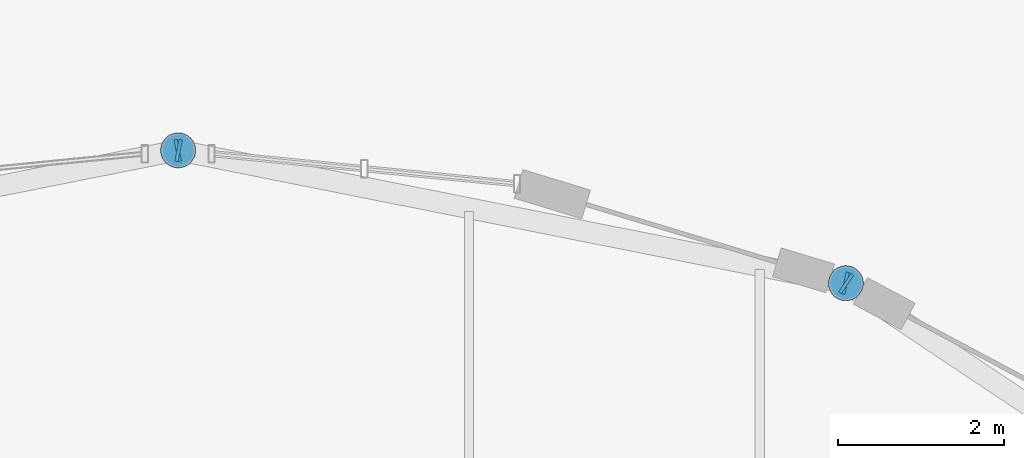
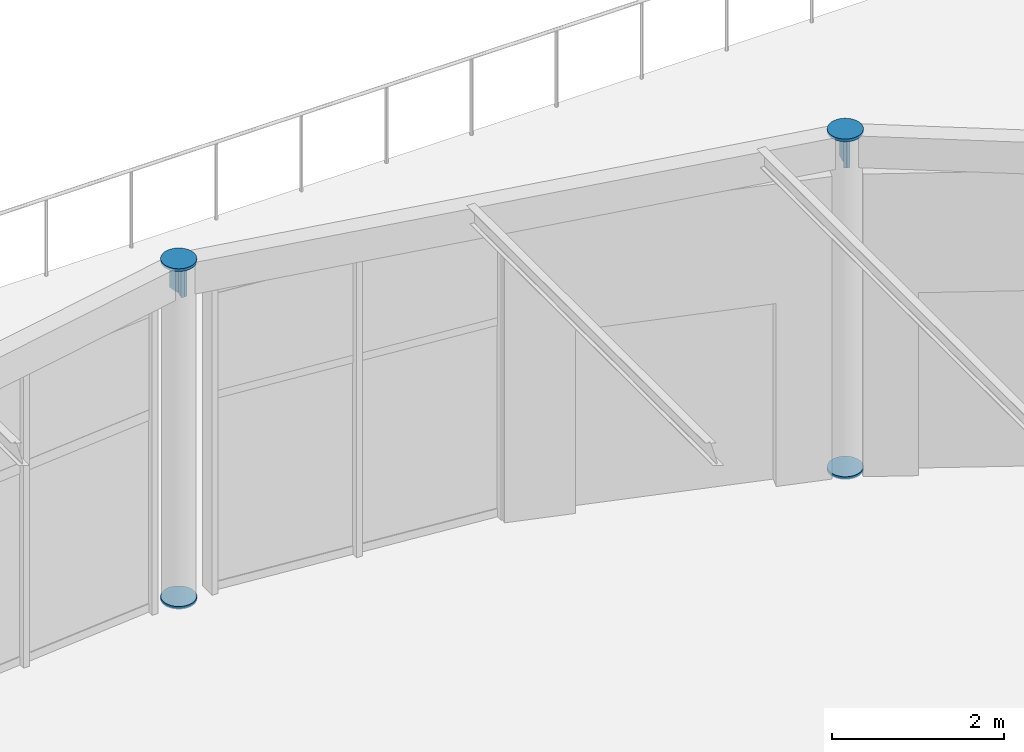
# One storey, part 117 of 143: 8 discrete accessories.
"""IFC4 building model written with IfcOpenShell, lengths in metres."""

import ifcopenshell
import ifcopenshell.guid

model = None  # the IFC model being written
_history = None  # IfcOwnerHistory: only IFC2X3 demands one
_inside = {}  # id of a spatial element -> (the spatial element, [elements in it])
_under = {}  # id of a project, library or spatial element -> (it, [spatial elements below it])
_declared = {}  # id of a project -> (the project, [libraries it declares])
_typed = {}  # id of a type object -> (the type object, [elements of that type])
_made_of = {}  # id of a material, layer set ... -> (it, [elements and type objects made of it])


def new_model(schema):
    """Start an empty IFC model of exactly this schema.

    Asked for "IFC4X3", IfcOpenShell would pick the latest addendum, in which some entities
    have other attributes; the version numbers below select the first issue.
    IFC2X3 requires an IfcOwnerHistory on every rooted entity: one is made here for all.
    """
    global model, _history
    if schema == "IFC4X3":
        model = ifcopenshell.file(schema_version=(4, 3, 0, 0))
    else:
        model = ifcopenshell.file(schema=schema)
    _inside.clear()
    _under.clear()
    _declared.clear()
    _typed.clear()
    _made_of.clear()
    _history = None
    if model.schema == "IFC2X3":
        org = make("IfcOrganization", Name="unknown")
        user = make(
            "IfcPersonAndOrganization",
            ThePerson=make("IfcPerson", FamilyName="unknown"),
            TheOrganization=org,
        )
        app = make(
            "IfcApplication",
            ApplicationDeveloper=org,
            Version="unknown",
            ApplicationFullName="unknown",
            ApplicationIdentifier="unknown",
        )
        _history = make(
            "IfcOwnerHistory",
            OwningUser=user,
            OwningApplication=app,
            ChangeAction="ADDED",
            CreationDate=0,
        )
    return model


def make(cls, **values):
    """One entity of the class cls with the attributes given. An attribute that is None is left unset."""
    return model.create_entity(
        cls, **{name: value for name, value in values.items() if value is not None}
    )


def rooted(cls, **values):
    """An entity with a GlobalId (a new one), such as an element, a storey or a relation."""
    return make(cls, GlobalId=ifcopenshell.guid.new(), OwnerHistory=_history, **values)


def si_unit(unit_type, name, prefix=None):
    """IfcSIUnit, for example si_unit("LENGTHUNIT", "METRE", prefix="MILLI")."""
    return make("IfcSIUnit", UnitType=unit_type, Prefix=prefix, Name=name)


def assignment(units):
    """IfcUnitAssignment: the units of a project."""
    return None if units is None else make("IfcUnitAssignment", Units=units)


def point(xyz):
    """IfcCartesianPoint."""
    return None if xyz is None else make("IfcCartesianPoint", Coordinates=xyz)


def direction(xyz):
    """IfcDirection."""
    return None if xyz is None else make("IfcDirection", DirectionRatios=xyz)


def frame(location, z_axis=None, x_axis=None):
    """IfcAxis2Placement3D, a coordinate frame: its origin and axes. An axis left out is left unset."""
    return make(
        "IfcAxis2Placement3D",
        Location=point(location),
        Axis=direction(z_axis),
        RefDirection=direction(x_axis),
    )


def frame_2d(location, x_axis=None):
    """IfcAxis2Placement2D, a coordinate frame in the plane: its origin and x axis."""
    return make(
        "IfcAxis2Placement2D", Location=point(location), RefDirection=direction(x_axis)
    )


def origin():
    """The frame at (0, 0, 0) with its axes left unset."""
    return frame((0.0, 0.0, 0.0))


def origin_2d():
    """The frame at (0, 0) in the plane with its x axis left unset."""
    return frame_2d((0.0, 0.0))


def place(relative_to, where):
    """IfcLocalPlacement: puts the frame where relative to a parent placement (None: the world)."""
    return make(
        "IfcLocalPlacement", PlacementRelTo=relative_to, RelativePlacement=where
    )


def context(
    kind, dimensions, precision=None, world=None, true_north=None, identifier=None
):
    """IfcGeometricRepresentationContext, for example the 3D "Model" context."""
    return make(
        "IfcGeometricRepresentationContext",
        ContextIdentifier=identifier,
        ContextType=kind,
        CoordinateSpaceDimension=dimensions,
        Precision=precision,
        WorldCoordinateSystem=world,
        TrueNorth=true_north,
    )


def subcontext(parent, identifier, kind, view, scale=None):
    """IfcGeometricRepresentationSubContext, for example "Body" below "Model"."""
    return make(
        "IfcGeometricRepresentationSubContext",
        ContextIdentifier=identifier,
        ContextType=kind,
        ParentContext=parent,
        TargetScale=scale,
        TargetView=view,
    )


def project(units=None, contexts=None):
    """IfcProject with its units and contexts."""
    return rooted(
        "IfcProject",
        Name="project",
        RepresentationContexts=contexts,
        UnitsInContext=assignment(units),
    )


def spatial(cls, under=None, at=None, **own):
    """A site, building, storey or space (cls), placed at a placement, below another one or the project."""
    s = rooted(cls, ObjectPlacement=at, **own)
    if under is not None:
        _under.setdefault(under.id(), (under, []))[1].append(s)
    return s


def profile(cls, at=None, kind="AREA", **sizes):
    """A parametric profile (cls). Its sizes go by their IFC names, for example OverallWidth=200.0."""
    return make(cls, ProfileType=kind, Position=at, **sizes)


def rectangle(**sizes):
    """IfcRectangleProfileDef."""
    return profile("IfcRectangleProfileDef", **sizes)


def circle(**sizes):
    """IfcCircleProfileDef."""
    return profile("IfcCircleProfileDef", **sizes)


def extrude(swept, where, along, depth):
    """IfcExtrudedAreaSolid: the profile swept, set in the frame where, extruded along a direction by depth."""
    return make(
        "IfcExtrudedAreaSolid",
        SweptArea=swept,
        Position=where,
        ExtrudedDirection=direction(along),
        Depth=depth,
    )


def shape(context_of_items, identifier, shape_type, items):
    """IfcShapeRepresentation: the items that make up one representation, for example the "Body"."""
    return make(
        "IfcShapeRepresentation",
        ContextOfItems=context_of_items,
        RepresentationIdentifier=identifier,
        RepresentationType=shape_type,
        Items=items,
    )


def material(Name=None, Category=None):
    """IfcMaterial."""
    return make("IfcMaterial", Name=Name, Category=Category)


def made_of(thing, what):
    """Note that an element or type object is made of a material, layer set ...; save() writes the relation."""
    if what is not None:
        _made_of.setdefault(what.id(), (what, []))[1].append(thing)
    return thing


def element(
    cls,
    number,
    at=None,
    inside=None,
    cuts=None,
    type_object=None,
    material=None,
    context=None,
    identifier="Body",
    shape_type=None,
    held_by="IfcProductDefinitionShape",
    body=None,
    shapes=None,
    **own,
):
    """One element of the class cls, such as IfcWall. Its Tag is "e" and its number.

    at: its placement. inside: the storey or other place that contains it. cuts: it is an
    opening in that element (IfcRelVoidsElement). A single representation is given by context,
    identifier, shape_type and body (its items); several are given by shapes. held_by: the class
    of the entity that holds the representations. save() writes the other relations.
    """
    e = rooted(cls, Tag="e%d" % number, ObjectPlacement=at, **own)
    if body is not None:
        shapes = [shape(context, identifier, shape_type, body)]
    if shapes is not None:
        e.Representation = make(held_by, Representations=shapes)
    if inside is not None:
        _inside.setdefault(inside.id(), (inside, []))[1].append(e)
    if cuts is not None:
        rooted(
            "IfcRelVoidsElement", RelatingBuildingElement=cuts, RelatedOpeningElement=e
        )
    if type_object is not None:
        _typed.setdefault(type_object.id(), (type_object, []))[1].append(e)
    return made_of(e, material)


def aggregate(whole, parts):
    """IfcRelAggregates: a whole, such as a stair, and the parts it consists of."""
    return rooted("IfcRelAggregates", RelatingObject=whole, RelatedObjects=parts)


def save(model, path):
    """Write the relations noted so far, then the file.

    IfcRelAggregates (storeys below a building ...), IfcRelContainedInSpatialStructure (elements
    in a storey), IfcRelDefinesByType, IfcRelAssociatesMaterial and IfcRelDeclares: one each for
    every whole, place, type object, material and project.
    """
    for whole, parts in _under.values():
        aggregate(whole, parts)
    for where, things in _inside.values():
        rooted(
            "IfcRelContainedInSpatialStructure",
            RelatedElements=things,
            RelatingStructure=where,
        )
    for kind, things in _typed.values():
        rooted("IfcRelDefinesByType", RelatedObjects=things, RelatingType=kind)
    for what, things in _made_of.values():
        rooted("IfcRelAssociatesMaterial", RelatedObjects=things, RelatingMaterial=what)
    for by, libraries in _declared.values():
        rooted("IfcRelDeclares", RelatingContext=by, RelatedDefinitions=libraries)
    model.write(path)


model = new_model("IFC4")

# Units and contexts
model_context = context("Model", 3, precision=1e-05, world=origin(), true_north=direction((0.0, 1.0)))
body_context = subcontext(model_context, "Body", "Model", "MODEL_VIEW")
ifc_project = project(units=[si_unit("LENGTHUNIT", "METRE"), si_unit("AREAUNIT", "SQUARE_METRE"), si_unit("VOLUMEUNIT", "CUBIC_METRE"), si_unit("PLANEANGLEUNIT", "RADIAN"), si_unit("MASSUNIT", "GRAM", prefix="KILO")], contexts=[model_context])

# Site, building, storey
site_placement = place(None, origin())
site = spatial("IfcSite", under=ifc_project, at=site_placement, CompositionType="ELEMENT")
building_placement = place(site_placement, origin())
building = spatial("IfcBuilding", under=site, at=building_placement, Name="Marlcrest Central Station", CompositionType="ELEMENT")
storey_placement = place(building_placement, frame((0.0, 0.0, 4.800048828125)))
storey = spatial("IfcBuildingStorey", under=building, at=storey_placement, Name="L01", CompositionType="ELEMENT", Elevation=4.800048828125)

# Discrete accessories
ifc_material = material(Name="Steel S355", Category="steel")
for number, where, z_axis, x_axis, name in (
    (1, (108.0, 131.5, -0.014892578125), (0.0, 0.0, 1.0), (1.0, 0.0, 0.0), "endcap-col-SC-10-L01-0856-s"),
    (2, (108.0, 131.5, 4.78515625), (0.0, 0.0, 1.0), (1.0, 0.0, 0.0), "endcap-col-SC-10-L01-0856-e"),
    (3, (116.035888671875, 129.90087890625, -0.014892578125), (0.0, 0.0, 1.0), (1.0, 0.0, 0.0), "endcap-col-SC-10-L01-0860-s"),
    (4, (116.035888671875, 129.90087890625, 4.78515625), (0.0, 0.0, 1.0), (1.0, 0.0, 0.0), "endcap-col-SC-10-L01-0860-e"),
):
    element("IfcDiscreteAccessory", number, at=place(storey_placement, frame(where, z_axis=z_axis, x_axis=x_axis)), inside=storey, material=ifc_material, Name=name, ObjectType="END_CAP_PLATE", PredefinedType="BRACKET", context=body_context, shape_type="SweptSolid", body=[
        extrude(circle(Radius=0.211181640625, at=origin_2d()), origin(), (0.0, 0.0, 1.0), 0.0400390625),
    ])
for number, where, z_axis, x_axis, name in (
    (5, (107.9755859375, 131.4951171875, 4.58984375), (0.980769316421, 0.19517056122, 0.0), (-0.19517056122, 0.980769316421, 0.0), "endcap-bm-SP-02-L01-01461-e"),
    (6, (107.9853515625, 131.5029296875, 4.58984375), (0.980769316421, -0.19517056122, 0.0), (0.19517056122, 0.980769316421, 0.0), "endcap-bm-SP-02-L01-01462-s"),
    (7, (116.011474609375, 129.90576171875, 4.58984375), (0.980769316421, -0.19517056122, 0.0), (0.19517056122, 0.980769316421, 0.0), "endcap-bm-SP-02-L01-01462-e"),
    (8, (116.0234375, 129.9091796875, 4.58984375), (0.831508991937, -0.55551129271, 0.0), (0.55551129271, 0.831508991937, 0.0), "endcap-bm-SP-02-L01-01463-s"),
):
    element("IfcDiscreteAccessory", number, at=place(storey_placement, frame(where, z_axis=z_axis, x_axis=x_axis)), inside=storey, material=ifc_material, Name=name, ObjectType="END_CAP_PLATE", PredefinedType="BRACKET", context=body_context, shape_type="SweptSolid", body=[
        extrude(rectangle(XDim=0.26611328125, YDim=0.466064453125, at=origin_2d()), origin(), (0.0, 0.0, 1.0), 0.0400390625),
    ])

save(model, "model.ifc")
